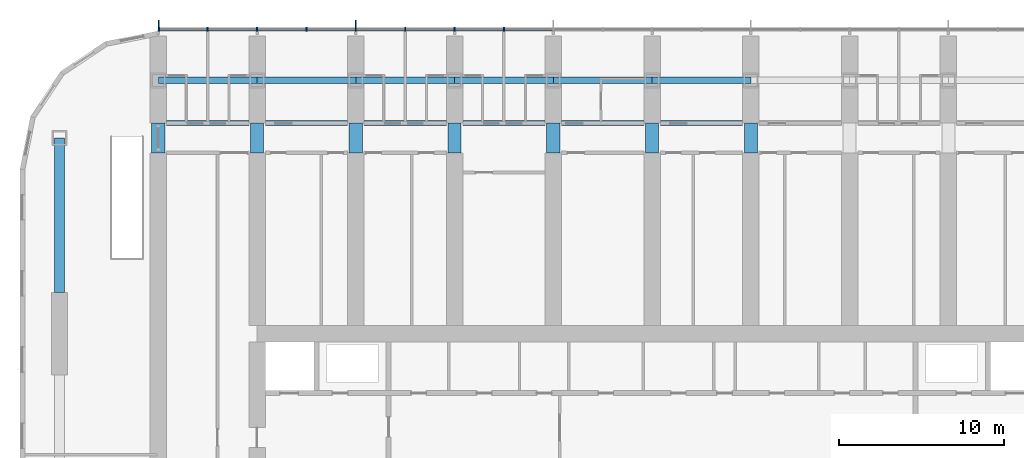
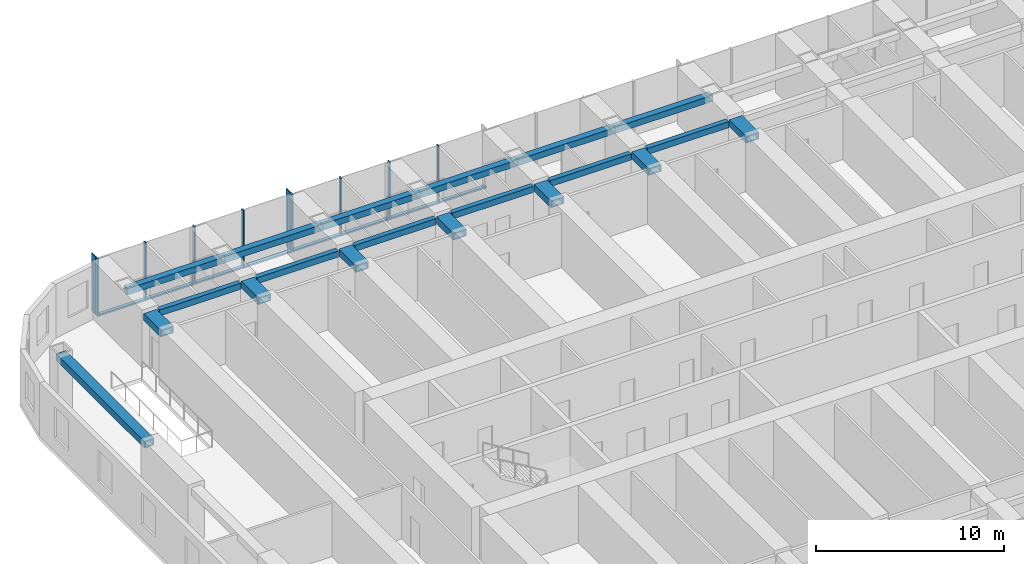
# One storey, part 4 of 23: 20 beams, 18 members, 1 element without a shape of its own.
"""IFC4 building model written with IfcOpenShell, lengths in metres."""

from ifc_helpers import new_model, si_unit, direction, frame, origin, origin_2d, place, context, subcontext, project, spatial, rectangle, hollow_rectangle, extrude, material, material_profile, profile_set, type_object, element, aggregate, save


model = new_model("IFC4")

# Units and contexts
model_context = context("Model", 3, precision=1e-05, world=origin(), true_north=direction((0.0, 1.0)))
body_context = subcontext(model_context, "Body", "Model", "MODEL_VIEW")
ifc_project = project(units=[si_unit("LENGTHUNIT", "METRE"), si_unit("AREAUNIT", "SQUARE_METRE"), si_unit("VOLUMEUNIT", "CUBIC_METRE"), si_unit("PLANEANGLEUNIT", "RADIAN"), si_unit("MASSUNIT", "GRAM", prefix="KILO")], contexts=[model_context])

# Site, building, storey
site_placement = place(None, origin())
site = spatial("IfcSite", under=ifc_project, at=site_placement, CompositionType="ELEMENT")
building_placement = place(site_placement, origin())
building = spatial("IfcBuilding", under=site, at=building_placement, Name="Orbita Commons", CompositionType="ELEMENT")
storey_placement = place(building_placement, frame((0.0, 0.0, 42.699951171875)))
storey = spatial("IfcBuildingStorey", under=building, at=storey_placement, Name="L10", CompositionType="ELEMENT", Elevation=42.699951171875)

# Curtain wall, members
ifc_material_1 = material(Name="Anodised aluminium frame, pale silver", Category="aluminium")
curtain_wall_type = type_object("IfcCurtainWallType", Name="Unitised curtain wall CW-T, vision and spandrel", PredefinedType="NOTDEFINED", material=ifc_material_1)
curtain_wall_placement = place(storey_placement, origin())
curtain_wall = element("IfcCurtainWall", 1, at=curtain_wall_placement, inside=storey, type_object=curtain_wall_type, Name="Curtain wall north L10", PredefinedType="NOTDEFINED")
ifc_material_2 = material(Name="Anodised aluminium, pale silver", Category="aluminium")
ifc_material_profile_1 = material_profile(ifc_material_2, rectangle(XDim=0.080078125, YDim=0.219970703125, at=origin_2d()), Name="AL 80x220")
ifc_profile_set_1 = profile_set([ifc_material_profile_1], Name="Anodised aluminium, pale silver")
member_type_1 = type_object("IfcMemberType", Name="Curtain wall mullion 80x220", PredefinedType="MULLION", material=ifc_profile_set_1)
member_1_placement = place(storey_placement, frame((33.0, 56.7099609375, -0.25), z_axis=(0.0, 0.0, 1.0), x_axis=(-1.0, 0.0, 0.0)))
member_1 = element("IfcMember", 2, at=member_1_placement, type_object=member_type_1, Name="Mullion 14 CW-L10-N", PredefinedType="MULLION", context=body_context, shape_type="SweptSolid", body=[
    extrude(rectangle(XDim=0.080078125, YDim=0.219970703125, at=origin_2d()), origin(), (0.0, 0.0, 1.0), 3.75),
])
member_2_placement = place(storey_placement, frame((30.0, 56.7099609375, -0.25), z_axis=(0.0, 0.0, 1.0), x_axis=(-1.0, 0.0, 0.0)))
member_2 = element("IfcMember", 3, at=member_2_placement, type_object=member_type_1, Name="Mullion 15 CW-L10-N", PredefinedType="MULLION", context=body_context, shape_type="SweptSolid", body=[
    extrude(rectangle(XDim=0.080078125, YDim=0.219970703125, at=origin_2d()), origin(), (0.0, 0.0, 1.0), 3.75),
])
member_3_placement = place(storey_placement, frame((27.0, 56.7099609375, -0.25), z_axis=(0.0, 0.0, 1.0), x_axis=(-1.0, 0.0, 0.0)))
member_3 = element("IfcMember", 4, at=member_3_placement, type_object=member_type_1, Name="Mullion 16 CW-L10-N", PredefinedType="MULLION", context=body_context, shape_type="SweptSolid", body=[
    extrude(rectangle(XDim=0.080078125, YDim=0.219970703125, at=origin_2d()), origin(), (0.0, 0.0, 1.0), 3.75),
])
member_4_placement = place(storey_placement, frame((24.0, 56.7099609375, -0.25), z_axis=(0.0, 0.0, 1.0), x_axis=(-1.0, 0.0, 0.0)))
member_4 = element("IfcMember", 5, at=member_4_placement, type_object=member_type_1, Name="Mullion 17 CW-L10-N", PredefinedType="MULLION", context=body_context, shape_type="SweptSolid", body=[
    extrude(rectangle(XDim=0.080078125, YDim=0.219970703125, at=origin_2d()), origin(), (0.0, 0.0, 1.0), 3.75),
])
member_5_placement = place(storey_placement, frame((21.0, 56.7099609375, -0.25), z_axis=(0.0, 0.0, 1.0), x_axis=(-1.0, 0.0, 0.0)))
member_5 = element("IfcMember", 6, at=member_5_placement, type_object=member_type_1, Name="Mullion 18 CW-L10-N", PredefinedType="MULLION", context=body_context, shape_type="SweptSolid", body=[
    extrude(rectangle(XDim=0.080078125, YDim=0.219970703125, at=origin_2d()), origin(), (0.0, 0.0, 1.0), 3.75),
])
member_6_placement = place(storey_placement, frame((18.0, 56.7099609375, -0.25), z_axis=(0.0, 0.0, 1.0), x_axis=(-1.0, 0.0, 0.0)))
member_6 = element("IfcMember", 7, at=member_6_placement, type_object=member_type_1, Name="Mullion 19 CW-L10-N", PredefinedType="MULLION", context=body_context, shape_type="SweptSolid", body=[
    extrude(rectangle(XDim=0.080078125, YDim=0.219970703125, at=origin_2d()), origin(), (0.0, 0.0, 1.0), 3.75),
])
member_7_placement = place(storey_placement, frame((15.0, 56.7099609375, -0.25), z_axis=(0.0, 0.0, 1.0), x_axis=(-1.0, 0.0, 0.0)))
member_7 = element("IfcMember", 8, at=member_7_placement, type_object=member_type_1, Name="Mullion 20 CW-L10-N", PredefinedType="MULLION", context=body_context, shape_type="SweptSolid", body=[
    extrude(rectangle(XDim=0.080078125, YDim=0.219970703125, at=origin_2d()), origin(), (0.0, 0.0, 1.0), 3.75),
])
member_8_placement = place(storey_placement, frame((12.0400390625, 56.7099609375, -0.25), z_axis=(0.0, 0.0, 1.0), x_axis=(-1.0, 0.0, 0.0)))
member_8 = element("IfcMember", 9, at=member_8_placement, type_object=member_type_1, Name="Mullion 21 CW-L10-N", PredefinedType="MULLION", context=body_context, shape_type="SweptSolid", body=[
    extrude(rectangle(XDim=0.080078125, YDim=0.219970703125, at=origin_2d()), origin(), (0.0, 0.0, 1.0), 3.75),
])
ifc_material_3 = material(Name="Anodised aluminium, pale silver", Category="aluminium")
ifc_material_profile_2 = material_profile(ifc_material_3, rectangle(XDim=0.219970703125, YDim=0.10009765625, at=origin_2d()), Name="AL 220x100")
ifc_profile_set_2 = profile_set([ifc_material_profile_2], Name="Anodised aluminium, pale silver")
member_type_2 = type_object("IfcMemberType", Name="Curtain wall stack transom 220x100", PredefinedType="USERDEFINED", material=ifc_profile_set_2)
member_9_placement = place(storey_placement, frame((35.9599609375, 56.7099609375, -0.199951171875), z_axis=(-1.0, 0.0, 0.0), x_axis=(0.0, -1.0, 0.0)))
member_9 = element("IfcMember", 10, at=member_9_placement, type_object=member_type_2, Name="Transom 13.1 CW-L10-N", ObjectType="TRANSOM", PredefinedType="USERDEFINED", context=body_context, shape_type="SweptSolid", body=[
    extrude(rectangle(XDim=0.219970703125, YDim=0.10009765625, at=origin_2d()), origin(), (0.0, 0.0, 1.0), 2.919921875),
])
member_10_placement = place(storey_placement, frame((32.9599609375, 56.7099609375, -0.199951171875), z_axis=(-1.0, 0.0, 0.0), x_axis=(0.0, -1.0, 0.0)))
member_10 = element("IfcMember", 11, at=member_10_placement, type_object=member_type_2, Name="Transom 14.1 CW-L10-N", ObjectType="TRANSOM", PredefinedType="USERDEFINED", context=body_context, shape_type="SweptSolid", body=[
    extrude(rectangle(XDim=0.219970703125, YDim=0.10009765625, at=origin_2d()), origin(), (0.0, 0.0, 1.0), 2.919921875),
])
member_11_placement = place(storey_placement, frame((29.9599609375, 56.7099609375, -0.199951171875), z_axis=(-1.0, 0.0, 0.0), x_axis=(0.0, -1.0, 0.0)))
member_11 = element("IfcMember", 12, at=member_11_placement, type_object=member_type_2, Name="Transom 15.1 CW-L10-N", ObjectType="TRANSOM", PredefinedType="USERDEFINED", context=body_context, shape_type="SweptSolid", body=[
    extrude(rectangle(XDim=0.219970703125, YDim=0.10009765625, at=origin_2d()), origin(), (0.0, 0.0, 1.0), 2.919921875),
])
member_12_placement = place(storey_placement, frame((26.9599609375, 56.7099609375, -0.199951171875), z_axis=(-1.0, 0.0, 0.0), x_axis=(0.0, -1.0, 0.0)))
member_12 = element("IfcMember", 13, at=member_12_placement, type_object=member_type_2, Name="Transom 16.1 CW-L10-N", ObjectType="TRANSOM", PredefinedType="USERDEFINED", context=body_context, shape_type="SweptSolid", body=[
    extrude(rectangle(XDim=0.219970703125, YDim=0.10009765625, at=origin_2d()), origin(), (0.0, 0.0, 1.0), 2.919921875),
])
member_13_placement = place(storey_placement, frame((23.9599609375, 56.7099609375, -0.199951171875), z_axis=(-1.0, 0.0, 0.0), x_axis=(0.0, -1.0, 0.0)))
member_13 = element("IfcMember", 14, at=member_13_placement, type_object=member_type_2, Name="Transom 17.1 CW-L10-N", ObjectType="TRANSOM", PredefinedType="USERDEFINED", context=body_context, shape_type="SweptSolid", body=[
    extrude(rectangle(XDim=0.219970703125, YDim=0.10009765625, at=origin_2d()), origin(), (0.0, 0.0, 1.0), 2.919921875),
])
member_14_placement = place(storey_placement, frame((20.9599609375, 56.7099609375, -0.199951171875), z_axis=(-1.0, 0.0, 0.0), x_axis=(0.0, -1.0, 0.0)))
member_14 = element("IfcMember", 15, at=member_14_placement, type_object=member_type_2, Name="Transom 18.1 CW-L10-N", ObjectType="TRANSOM", PredefinedType="USERDEFINED", context=body_context, shape_type="SweptSolid", body=[
    extrude(rectangle(XDim=0.219970703125, YDim=0.10009765625, at=origin_2d()), origin(), (0.0, 0.0, 1.0), 2.919921875),
])
member_15_placement = place(storey_placement, frame((17.9599609375, 56.7099609375, -0.199951171875), z_axis=(-1.0, 0.0, 0.0), x_axis=(0.0, -1.0, 0.0)))
member_15 = element("IfcMember", 16, at=member_15_placement, type_object=member_type_2, Name="Transom 19.1 CW-L10-N", ObjectType="TRANSOM", PredefinedType="USERDEFINED", context=body_context, shape_type="SweptSolid", body=[
    extrude(rectangle(XDim=0.219970703125, YDim=0.10009765625, at=origin_2d()), origin(), (0.0, 0.0, 1.0), 2.919921875),
])
member_16_placement = place(storey_placement, frame((14.9599609375, 56.7099609375, -0.199951171875), z_axis=(-1.0, 0.0, 0.0), x_axis=(0.0, -1.0, 0.0)))
member_16 = element("IfcMember", 17, at=member_16_placement, type_object=member_type_2, Name="Transom 20.1 CW-L10-N", ObjectType="TRANSOM", PredefinedType="USERDEFINED", context=body_context, shape_type="SweptSolid", body=[
    extrude(rectangle(XDim=0.219970703125, YDim=0.10009765625, at=origin_2d()), origin(), (0.0, 0.0, 1.0), 2.8798828125),
])

# Beams
ifc_material_4 = material(Name="Steel ASTM A572 Gr 50 welded plate", Category="steel")
ifc_material_profile_3 = material_profile(ifc_material_4, hollow_rectangle(XDim=0.300048828125, YDim=0.39990234375, WallThickness=0.0400390625, at=origin_2d()), Name="BOX 400x300x40")
ifc_profile_set_3 = profile_set([ifc_material_profile_3], Name="Steel ASTM A572 Gr 50 welded plate")
beam_type_1 = type_object("IfcBeamType", Name="Steel corridor link BOX 400x300x40", PredefinedType="BEAM", material=ifc_profile_set_3)
for number, where, z_axis, x_axis, name in (
    (18, (12.5, 51.0, 3.300048828125), (1.0, 0.0, 0.0), (0.0, 1.0, 0.0), "Corridor beam NB 3-4 L10"),
    (19, (18.5, 51.0, 3.300048828125), (1.0, 0.0, 0.0), (0.0, 1.0, 0.0), "Corridor beam NB 4-5 L10"),
    (20, (24.5, 51.0, 3.300048828125), (1.0, 0.0, 0.0), (0.0, 1.0, 0.0), "Corridor beam NB 5-6 L10"),
    (21, (30.5, 51.0, 3.300048828125), (1.0, 0.0, 0.0), (0.0, 1.0, 0.0), "Corridor beam NB 6-7 L10"),
    (22, (36.5, 51.0, 3.300048828125), (1.0, 0.0, 0.0), (0.0, 1.0, 0.0), "Corridor beam NB 7-8 L10"),
    (23, (42.5, 51.0, 3.300048828125), (1.0, 0.0, 0.0), (0.0, 1.0, 0.0), "Corridor beam NB 8-9 L10"),
):
    element("IfcBeam", number, at=place(storey_placement, frame(where, z_axis=z_axis, x_axis=x_axis)), inside=storey, type_object=beam_type_1, Name=name, PredefinedType="BEAM", context=body_context, shape_type="SweptSolid", body=[
        extrude(hollow_rectangle(XDim=0.300048828125, YDim=0.39990234375, WallThickness=0.0400390625, at=origin_2d()), origin(), (0.0, 0.0, 1.0), 5.0),
    ])
ifc_material_5 = material(Name="Steel ASTM A572 Gr 50 welded plate", Category="steel")
ifc_material_profile_4 = material_profile(ifc_material_5, hollow_rectangle(XDim=0.800048828125, YDim=0.449951171875, WallThickness=0.06005859375, at=origin_2d()), Name="BOX 450x800x60")
ifc_profile_set_4 = profile_set([ifc_material_profile_4], Name="Steel ASTM A572 Gr 50 welded plate")
beam_type_2 = type_object("IfcBeamType", Name="Steel coupling link BOX 450x800x60", PredefinedType="LINTEL", material=ifc_profile_set_4)
for number, where, z_axis, x_axis, name in (
    (24, (12.0, 49.199951171875, 3.275146484375), (0.0, 1.0, 0.0), (-1.0, 0.0, 0.0), "Coupling beam 3 north L10"),
    (25, (18.0, 49.199951171875, 3.275146484375), (0.0, 1.0, 0.0), (-1.0, 0.0, 0.0), "Coupling beam 4 north L10"),
    (26, (24.0, 49.199951171875, 3.275146484375), (0.0, 1.0, 0.0), (-1.0, 0.0, 0.0), "Coupling beam 5 north L10"),
    (27, (30.0, 49.199951171875, 3.275146484375), (0.0, 1.0, 0.0), (-1.0, 0.0, 0.0), "Coupling beam 6 north L10"),
    (28, (36.0, 49.199951171875, 3.275146484375), (0.0, 1.0, 0.0), (-1.0, 0.0, 0.0), "Coupling beam 7 north L10"),
    (29, (42.0, 49.199951171875, 3.275146484375), (0.0, 1.0, 0.0), (-1.0, 0.0, 0.0), "Coupling beam 8 north L10"),
    (30, (48.0, 49.199951171875, 3.275146484375), (0.0, 1.0, 0.0), (-1.0, 0.0, 0.0), "Coupling beam 9 north L10"),
):
    element("IfcBeam", number, at=place(storey_placement, frame(where, z_axis=z_axis, x_axis=x_axis)), inside=storey, type_object=beam_type_2, Name=name, PredefinedType="LINTEL", context=body_context, shape_type="SweptSolid", body=[
        extrude(hollow_rectangle(XDim=0.800048828125, YDim=0.449951171875, WallThickness=0.06005859375, at=origin_2d()), origin(), (0.0, 0.0, 1.0), 1.800048828125),
    ])
ifc_material_6 = material(Name="Steel ASTM A572 Gr 50 welded plate", Category="steel")
ifc_material_profile_5 = material_profile(ifc_material_6, hollow_rectangle(XDim=0.60009765625, YDim=0.449951171875, WallThickness=0.06005859375, at=origin_2d()), Name="BOX 450x600x60")
ifc_profile_set_5 = profile_set([ifc_material_profile_5], Name="Steel ASTM A572 Gr 50 welded plate")
beam_type_3 = type_object("IfcBeamType", Name="Steel end frame link BOX 450x600x60", PredefinedType="BEAM", material=ifc_profile_set_5)
beam_placement = place(storey_placement, frame((6.0, 40.699951171875, 3.275146484375), z_axis=(0.0, 1.0, 0.0), x_axis=(-1.0, 0.0, 0.0)))
element("IfcBeam", 31, at=beam_placement, inside=storey, type_object=beam_type_3, Name="End frame beam 2 D-E L10", PredefinedType="BEAM", context=body_context, shape_type="SweptSolid", body=[
    extrude(hollow_rectangle(XDim=0.60009765625, YDim=0.449951171875, WallThickness=0.06005859375, at=origin_2d()), origin(), (0.0, 0.0, 1.0), 9.400146484375),
])
ifc_material_7 = material(Name="Steel ASTM A572 Gr 50 welded plate", Category="steel")
ifc_material_profile_6 = material_profile(ifc_material_7, hollow_rectangle(XDim=0.39990234375, YDim=0.39990234375, WallThickness=0.0400390625, at=origin_2d()), Name="BOX 400x400x40")
ifc_profile_set_6 = profile_set([ifc_material_profile_6], Name="Steel ASTM A572 Gr 50 welded plate")
beam_type_4 = type_object("IfcBeamType", Name="Steel spandrel BOX 400x400x40", PredefinedType="SPANDREL", material=ifc_profile_set_6)
for number, where, z_axis, x_axis, name in (
    (32, (12.0, 53.60009765625, 3.300048828125), (1.0, 0.0, 0.0), (0.0, 1.0, 0.0), "Spandrel beam E 3-4 L10"),
    (33, (18.0, 53.60009765625, 3.300048828125), (1.0, 0.0, 0.0), (0.0, 1.0, 0.0), "Spandrel beam E 4-5 L10"),
    (34, (24.0, 53.60009765625, 3.300048828125), (1.0, 0.0, 0.0), (0.0, 1.0, 0.0), "Spandrel beam E 5-6 L10"),
    (35, (30.0, 53.60009765625, 3.300048828125), (1.0, 0.0, 0.0), (0.0, 1.0, 0.0), "Spandrel beam E 6-7 L10"),
    (36, (36.0, 53.60009765625, 3.300048828125), (1.0, 0.0, 0.0), (0.0, 1.0, 0.0), "Spandrel beam E 7-8 L10"),
    (37, (42.0, 53.60009765625, 3.300048828125), (1.0, 0.0, 0.0), (0.0, 1.0, 0.0), "Spandrel beam E 8-9 L10"),
):
    element("IfcBeam", number, at=place(storey_placement, frame(where, z_axis=z_axis, x_axis=x_axis)), inside=storey, type_object=beam_type_4, Name=name, PredefinedType="SPANDREL", context=body_context, shape_type="SweptSolid", body=[
        extrude(hollow_rectangle(XDim=0.39990234375, YDim=0.39990234375, WallThickness=0.0400390625, at=origin_2d()), origin(), (0.0, 0.0, 1.0), 6.0),
    ])

# Member
ifc_material_8 = material(Name="Anodised aluminium, pale silver", Category="aluminium")
ifc_material_profile_7 = material_profile(ifc_material_8, rectangle(XDim=0.06005859375, YDim=0.449951171875, at=origin_2d()), Name="FIN 60x450")
ifc_profile_set_7 = profile_set([ifc_material_profile_7], Name="Anodised aluminium, pale silver")
member_type_3 = type_object("IfcMemberType", Name="Vertical fin 60x450 pale aluminium", PredefinedType="USERDEFINED", material=ifc_profile_set_7)
member_17_placement = place(storey_placement, frame((24.0, 57.044921875, -0.25), z_axis=(0.0, 0.0, 1.0), x_axis=(-1.0, 0.0, 0.0)))
member_17 = element("IfcMember", 38, at=member_17_placement, type_object=member_type_3, Name="Fin 17 CW-L10-N", ObjectType="FIN", PredefinedType="USERDEFINED", context=body_context, shape_type="SweptSolid", body=[
    extrude(rectangle(XDim=0.06005859375, YDim=0.449951171875, at=origin_2d()), origin(), (0.0, 0.0, 1.0), 3.75),
])

member_18_placement = place(storey_placement, frame((12.0400390625, 57.044921875, -0.25), z_axis=(0.0, 0.0, 1.0), x_axis=(-1.0, 0.0, 0.0)))
member_18 = element("IfcMember", 39, at=member_18_placement, type_object=member_type_3, Name="Fin 21 CW-L10-N", ObjectType="FIN", PredefinedType="USERDEFINED", context=body_context, shape_type="SweptSolid", body=[
    extrude(rectangle(XDim=0.06005859375, YDim=0.449951171875, at=origin_2d()), origin(), (0.0, 0.0, 1.0), 3.75),
])

aggregate(curtain_wall, [member_1, member_2, member_3, member_4, member_17, member_5, member_6, member_7, member_8, member_18, member_9, member_10, member_11, member_12, member_13, member_14, member_15, member_16])

save(model, "model.ifc")
